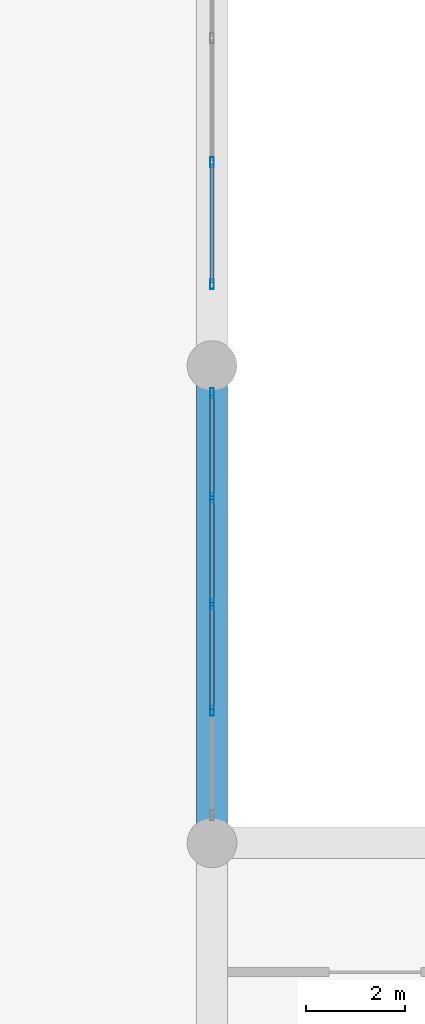
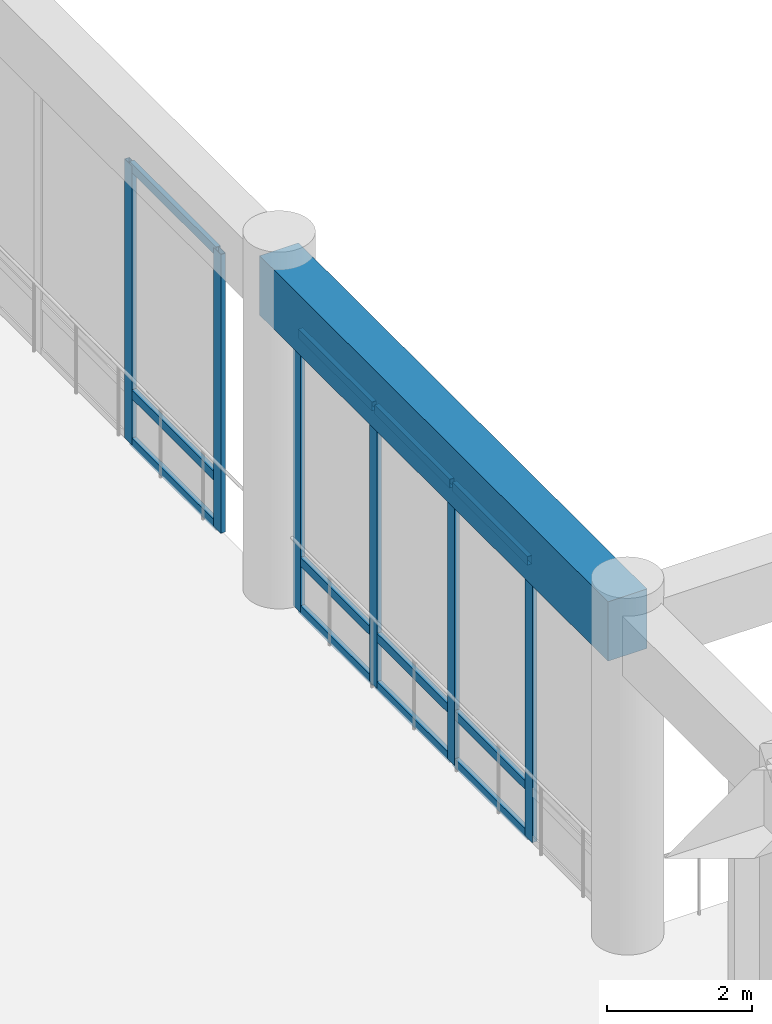
# One storey, part 19 of 87: 18 members, 1 beam, 2 elements without a shape of their own.
"""IFC4 building model written with IfcOpenShell, lengths in metres."""

from ifc_helpers import new_model, si_unit, direction, frame, origin, origin_2d, place, context, subcontext, project, spatial, rectangle, hollow_rectangle, extrude, material, layer, layer_set, material_profile, profile_set, type_object, element, aggregate, save


model = new_model("IFC4")

# Units and contexts
model_context = context("Model", 3, precision=1e-05, world=origin(), true_north=direction((0.0, 1.0)))
body_context = subcontext(model_context, "Body", "Model", "MODEL_VIEW")
ifc_project = project(units=[si_unit("LENGTHUNIT", "METRE"), si_unit("AREAUNIT", "SQUARE_METRE"), si_unit("VOLUMEUNIT", "CUBIC_METRE"), si_unit("PLANEANGLEUNIT", "RADIAN"), si_unit("MASSUNIT", "GRAM", prefix="KILO")], contexts=[model_context])

# Site, building, storey
site_placement = place(None, origin())
site = spatial("IfcSite", under=ifc_project, at=site_placement, CompositionType="ELEMENT")
building_placement = place(site_placement, origin())
building = spatial("IfcBuilding", under=site, at=building_placement, Name="Nakhvara Creek Congress Hotel", CompositionType="ELEMENT")
storey_placement = place(building_placement, origin())
storey = spatial("IfcBuildingStorey", under=building, at=storey_placement, Name="L00", CompositionType="ELEMENT", Elevation=0.0)

# Beam
ifc_material_1 = material(Name="Concrete C50/60", Category="concrete")
ifc_material_profile_1 = material_profile(ifc_material_1, rectangle(XDim=0.6201171875, YDim=1.0, at=origin_2d()), Name="RC-BM 620x1000", Category="LoadBearing")
ifc_profile_set_1 = profile_set([ifc_material_profile_1], Name="Concrete C50/60")
beam_type = type_object("IfcBeamType", Name="BM-RC-620X1000", PredefinedType="BEAM", material=ifc_profile_set_1)
beam_placement = place(storey_placement, frame((76.800048828125, 43.199951171875, 5.199951171875), z_axis=(0.0, 1.0, 0.0), x_axis=(-1.0, 0.0, 0.0)))
element("IfcBeam", 1, at=beam_placement, inside=storey, type_object=beam_type, Name="Beam B16-L00-0819", PredefinedType="BEAM", context=body_context, shape_type="SweptSolid", body=[
    extrude(rectangle(XDim=0.6201171875, YDim=1.0, at=origin_2d()), origin(), (0.0, 0.0, 1.0), 9.60009765625),
])

# Curtain wall, members
ifc_material_2 = material(Name="Bronze-anodised aluminium AW-6063-T6 and double-silver low-E glass", Category="aluminium")
ifc_layer = layer(ifc_material_2, 0.199951171875)
ifc_layer_set = layer_set([ifc_layer], Name="Bronze-anodised aluminium AW-6063-T6 and double-silver low-E glass")
curtain_wall_type = type_object("IfcCurtainWallType", Name="CW-POD-STICK", PredefinedType="NOTDEFINED", material=ifc_layer_set)
curtain_wall_1_placement = place(storey_placement, origin())
curtain_wall_1 = element("IfcCurtainWall", 2, at=curtain_wall_1_placement, inside=storey, type_object=curtain_wall_type, Name="Curtain Wall CW011", PredefinedType="NOTDEFINED")
ifc_material_3 = material(Name="Bronze-anodised aluminium AW-6063-T6", Category="aluminium")
ifc_material_profile_2 = material_profile(ifc_material_3, hollow_rectangle(XDim=0.074951171875, YDim=0.199951171875, WallThickness=0.0048828125, at=origin_2d()), Name="ALU-MULL 75x200x5", Category="LoadBearing")
ifc_profile_set_2 = profile_set([ifc_material_profile_2], Name="Bronze-anodised aluminium AW-6063-T6")
member_type_1 = type_object("IfcMemberType", Name="CW-MULL-200", PredefinedType="MULLION", material=ifc_profile_set_2)
member_1_placement = place(storey_placement, frame((76.800048828125, 52.24755859375, 0.0), z_axis=(0.0, 0.0, 1.0), x_axis=(1.0, 0.0, 0.0)))
member_1 = element("IfcMember", 3, at=member_1_placement, type_object=member_type_1, Name="CW011 mullion 1", PredefinedType="MULLION", context=body_context, shape_type="SweptSolid", body=[
    extrude(hollow_rectangle(XDim=0.074951171875, YDim=0.199951171875, WallThickness=0.0048828125, at=origin_2d()), origin(), (0.0, 0.0, 1.0), 4.69189453125),
])
member_2_placement = place(storey_placement, frame((76.800048828125, 50.142578125, 0.0), z_axis=(0.0, 0.0, 1.0), x_axis=(1.0, 0.0, 0.0)))
member_2 = element("IfcMember", 4, at=member_2_placement, type_object=member_type_1, Name="CW011 mullion 2", PredefinedType="MULLION", context=body_context, shape_type="SweptSolid", body=[
    extrude(hollow_rectangle(XDim=0.074951171875, YDim=0.199951171875, WallThickness=0.0048828125, at=origin_2d()), origin(), (0.0, 0.0, 1.0), 4.69189453125),
])
member_3_placement = place(storey_placement, frame((76.800048828125, 48.0, 0.0), z_axis=(0.0, 0.0, 1.0), x_axis=(1.0, 0.0, 0.0)))
member_3 = element("IfcMember", 5, at=member_3_placement, type_object=member_type_1, Name="CW011 mullion 3", PredefinedType="MULLION", context=body_context, shape_type="SweptSolid", body=[
    extrude(hollow_rectangle(XDim=0.074951171875, YDim=0.199951171875, WallThickness=0.0048828125, at=origin_2d()), origin(), (0.0, 0.0, 1.0), 4.69189453125),
])
member_4_placement = place(storey_placement, frame((76.800048828125, 45.857421875, 0.0), z_axis=(0.0, 0.0, 1.0), x_axis=(1.0, 0.0, 0.0)))
member_4 = element("IfcMember", 6, at=member_4_placement, type_object=member_type_1, Name="CW011 mullion 4", PredefinedType="MULLION", context=body_context, shape_type="SweptSolid", body=[
    extrude(hollow_rectangle(XDim=0.074951171875, YDim=0.199951171875, WallThickness=0.0048828125, at=origin_2d()), origin(), (0.0, 0.0, 1.0), 4.69189453125),
])

curtain_wall_2_placement = place(storey_placement, origin())
curtain_wall_2 = element("IfcCurtainWall", 7, at=curtain_wall_2_placement, inside=storey, type_object=curtain_wall_type, Name="Curtain Wall CW013", PredefinedType="NOTDEFINED")
member_5_placement = place(storey_placement, frame((76.800048828125, 56.89501953125, 0.0), z_axis=(0.0, 0.0, 1.0), x_axis=(1.0, 0.0, 0.0)))
member_5 = element("IfcMember", 8, at=member_5_placement, type_object=member_type_1, Name="CW013 mullion 3", PredefinedType="MULLION", context=body_context, shape_type="SweptSolid", body=[
    extrude(hollow_rectangle(XDim=0.074951171875, YDim=0.199951171875, WallThickness=0.0048828125, at=origin_2d()), origin(), (0.0, 0.0, 1.0), 4.69189453125),
])
member_6_placement = place(storey_placement, frame((76.800048828125, 54.4375, 0.0), z_axis=(0.0, 0.0, 1.0), x_axis=(1.0, 0.0, 0.0)))
member_6 = element("IfcMember", 9, at=member_6_placement, type_object=member_type_1, Name="CW013 mullion 4", PredefinedType="MULLION", context=body_context, shape_type="SweptSolid", body=[
    extrude(hollow_rectangle(XDim=0.074951171875, YDim=0.199951171875, WallThickness=0.0048828125, at=origin_2d()), origin(), (0.0, 0.0, 1.0), 4.69189453125),
])

# Member
ifc_material_profile_3 = material_profile(ifc_material_3, hollow_rectangle(XDim=0.074951171875, YDim=0.14990234375, WallThickness=0.00390625, at=origin_2d()), Name="ALU-TRAN 75x150x4", Category="LoadBearing")
ifc_profile_set_3 = profile_set([ifc_material_profile_3], Name="Bronze-anodised aluminium AW-6063-T6")
member_type_2 = type_object("IfcMemberType", Name="CW-TRAN-150", PredefinedType="USERDEFINED", material=ifc_profile_set_3)
member_7_placement = place(storey_placement, frame((76.800048828125, 52.2099609375, 0.03759765625), z_axis=(0.0, -1.0, 0.0), x_axis=(1.0, 0.0, 0.0)))
member_7 = element("IfcMember", 10, at=member_7_placement, type_object=member_type_2, Name="CW011 transom 1.1", ObjectType="TRANSOM", PredefinedType="USERDEFINED", context=body_context, shape_type="SweptSolid", body=[
    extrude(hollow_rectangle(XDim=0.074951171875, YDim=0.14990234375, WallThickness=0.00390625, at=origin_2d()), origin(), (0.0, 0.0, 1.0), 2.030029296875),
])

member_8_placement = place(storey_placement, frame((76.800048828125, 52.2099609375, 0.85009765625), z_axis=(0.0, -1.0, 0.0), x_axis=(1.0, 0.0, 0.0)))
member_8 = element("IfcMember", 11, at=member_8_placement, type_object=member_type_2, Name="CW011 transom 1.2", ObjectType="TRANSOM", PredefinedType="USERDEFINED", context=body_context, shape_type="SweptSolid", body=[
    extrude(hollow_rectangle(XDim=0.074951171875, YDim=0.14990234375, WallThickness=0.00390625, at=origin_2d()), origin(), (0.0, 0.0, 1.0), 2.030029296875),
])

member_9_placement = place(storey_placement, frame((76.800048828125, 52.2099609375, 4.654541015625), z_axis=(0.0, -1.0, 0.0), x_axis=(1.0, 0.0, 0.0)))
member_9 = element("IfcMember", 12, at=member_9_placement, type_object=member_type_2, Name="CW011 transom 1.3", ObjectType="TRANSOM", PredefinedType="USERDEFINED", context=body_context, shape_type="SweptSolid", body=[
    extrude(hollow_rectangle(XDim=0.074951171875, YDim=0.14990234375, WallThickness=0.00390625, at=origin_2d()), origin(), (0.0, 0.0, 1.0), 2.030029296875),
])

member_10_placement = place(storey_placement, frame((76.800048828125, 50.10498046875, 0.03759765625), z_axis=(0.0, -1.0, 0.0), x_axis=(1.0, 0.0, 0.0)))
member_10 = element("IfcMember", 13, at=member_10_placement, type_object=member_type_2, Name="CW011 transom 2.1", ObjectType="TRANSOM", PredefinedType="USERDEFINED", context=body_context, shape_type="SweptSolid", body=[
    extrude(hollow_rectangle(XDim=0.074951171875, YDim=0.14990234375, WallThickness=0.00390625, at=origin_2d()), origin(), (0.0, 0.0, 1.0), 2.0673828125),
])

member_11_placement = place(storey_placement, frame((76.800048828125, 50.10498046875, 0.85009765625), z_axis=(0.0, -1.0, 0.0), x_axis=(1.0, 0.0, 0.0)))
member_11 = element("IfcMember", 14, at=member_11_placement, type_object=member_type_2, Name="CW011 transom 2.2", ObjectType="TRANSOM", PredefinedType="USERDEFINED", context=body_context, shape_type="SweptSolid", body=[
    extrude(hollow_rectangle(XDim=0.074951171875, YDim=0.14990234375, WallThickness=0.00390625, at=origin_2d()), origin(), (0.0, 0.0, 1.0), 2.0673828125),
])

member_12_placement = place(storey_placement, frame((76.800048828125, 50.10498046875, 4.654541015625), z_axis=(0.0, -1.0, 0.0), x_axis=(1.0, 0.0, 0.0)))
member_12 = element("IfcMember", 15, at=member_12_placement, type_object=member_type_2, Name="CW011 transom 2.3", ObjectType="TRANSOM", PredefinedType="USERDEFINED", context=body_context, shape_type="SweptSolid", body=[
    extrude(hollow_rectangle(XDim=0.074951171875, YDim=0.14990234375, WallThickness=0.00390625, at=origin_2d()), origin(), (0.0, 0.0, 1.0), 2.0673828125),
])

member_13_placement = place(storey_placement, frame((76.800048828125, 47.96240234375, 0.03759765625), z_axis=(0.0, -1.0, 0.0), x_axis=(1.0, 0.0, 0.0)))
member_13 = element("IfcMember", 16, at=member_13_placement, type_object=member_type_2, Name="CW011 transom 3.1", ObjectType="TRANSOM", PredefinedType="USERDEFINED", context=body_context, shape_type="SweptSolid", body=[
    extrude(hollow_rectangle(XDim=0.074951171875, YDim=0.14990234375, WallThickness=0.00390625, at=origin_2d()), origin(), (0.0, 0.0, 1.0), 2.0673828125),
])

member_14_placement = place(storey_placement, frame((76.800048828125, 47.96240234375, 0.85009765625), z_axis=(0.0, -1.0, 0.0), x_axis=(1.0, 0.0, 0.0)))
member_14 = element("IfcMember", 17, at=member_14_placement, type_object=member_type_2, Name="CW011 transom 3.2", ObjectType="TRANSOM", PredefinedType="USERDEFINED", context=body_context, shape_type="SweptSolid", body=[
    extrude(hollow_rectangle(XDim=0.074951171875, YDim=0.14990234375, WallThickness=0.00390625, at=origin_2d()), origin(), (0.0, 0.0, 1.0), 2.0673828125),
])

member_15_placement = place(storey_placement, frame((76.800048828125, 47.96240234375, 4.654541015625), z_axis=(0.0, -1.0, 0.0), x_axis=(1.0, 0.0, 0.0)))
member_15 = element("IfcMember", 18, at=member_15_placement, type_object=member_type_2, Name="CW011 transom 3.3", ObjectType="TRANSOM", PredefinedType="USERDEFINED", context=body_context, shape_type="SweptSolid", body=[
    extrude(hollow_rectangle(XDim=0.074951171875, YDim=0.14990234375, WallThickness=0.00390625, at=origin_2d()), origin(), (0.0, 0.0, 1.0), 2.0673828125),
])

aggregate(curtain_wall_1, [member_1, member_2, member_3, member_4, member_7, member_8, member_9, member_10, member_11, member_12, member_13, member_14, member_15])

member_16_placement = place(storey_placement, frame((76.800048828125, 56.857421875, 0.03759765625), z_axis=(0.0, -1.0, 0.0), x_axis=(1.0, 0.0, 0.0)))
member_16 = element("IfcMember", 19, at=member_16_placement, type_object=member_type_2, Name="CW013 transom 3.1", ObjectType="TRANSOM", PredefinedType="USERDEFINED", context=body_context, shape_type="SweptSolid", body=[
    extrude(hollow_rectangle(XDim=0.074951171875, YDim=0.14990234375, WallThickness=0.00390625, at=origin_2d()), origin(), (0.0, 0.0, 1.0), 2.38232421875),
])

member_17_placement = place(storey_placement, frame((76.800048828125, 56.857421875, 0.85009765625), z_axis=(0.0, -1.0, 0.0), x_axis=(1.0, 0.0, 0.0)))
member_17 = element("IfcMember", 20, at=member_17_placement, type_object=member_type_2, Name="CW013 transom 3.2", ObjectType="TRANSOM", PredefinedType="USERDEFINED", context=body_context, shape_type="SweptSolid", body=[
    extrude(hollow_rectangle(XDim=0.074951171875, YDim=0.14990234375, WallThickness=0.00390625, at=origin_2d()), origin(), (0.0, 0.0, 1.0), 2.38232421875),
])

member_18_placement = place(storey_placement, frame((76.800048828125, 56.857421875, 4.654541015625), z_axis=(0.0, -1.0, 0.0), x_axis=(1.0, 0.0, 0.0)))
member_18 = element("IfcMember", 21, at=member_18_placement, type_object=member_type_2, Name="CW013 transom 3.3", ObjectType="TRANSOM", PredefinedType="USERDEFINED", context=body_context, shape_type="SweptSolid", body=[
    extrude(hollow_rectangle(XDim=0.074951171875, YDim=0.14990234375, WallThickness=0.00390625, at=origin_2d()), origin(), (0.0, 0.0, 1.0), 2.38232421875),
])

aggregate(curtain_wall_2, [member_5, member_6, member_16, member_17, member_18])

save(model, "model.ifc")
